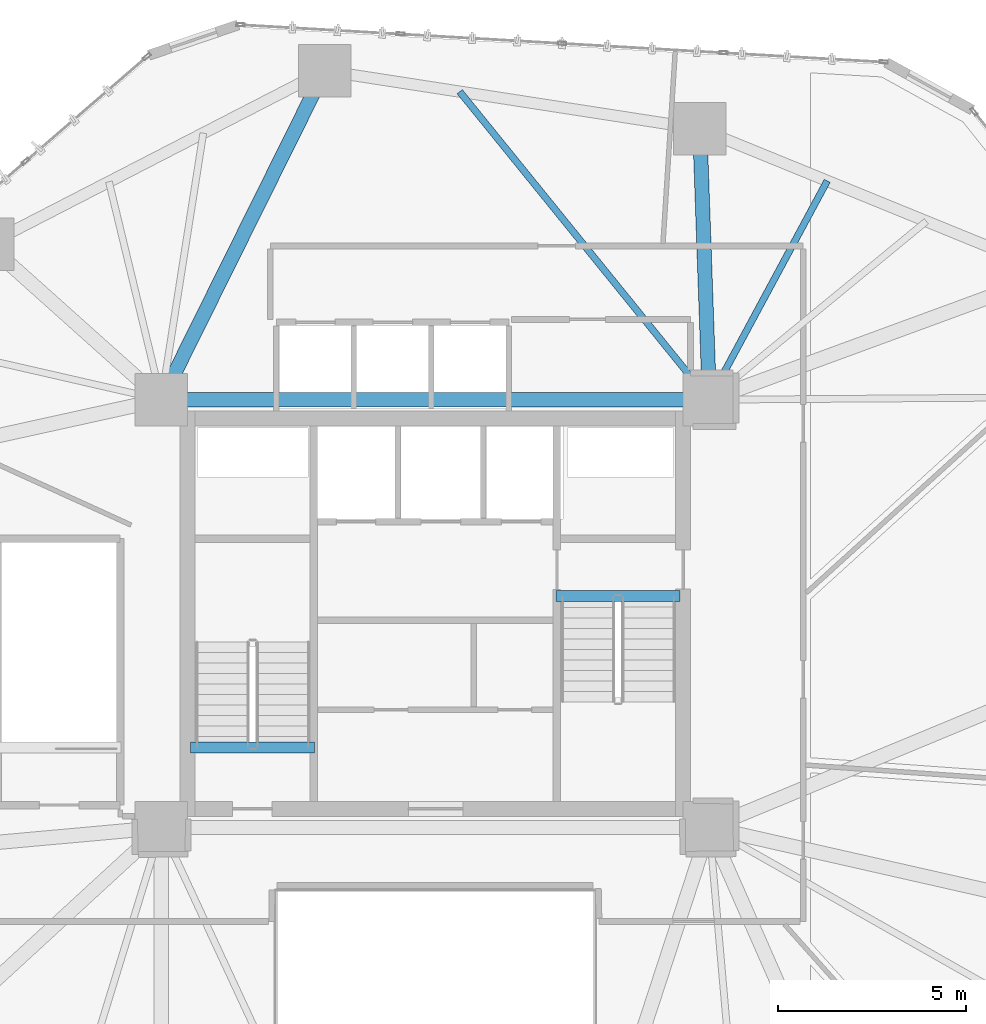
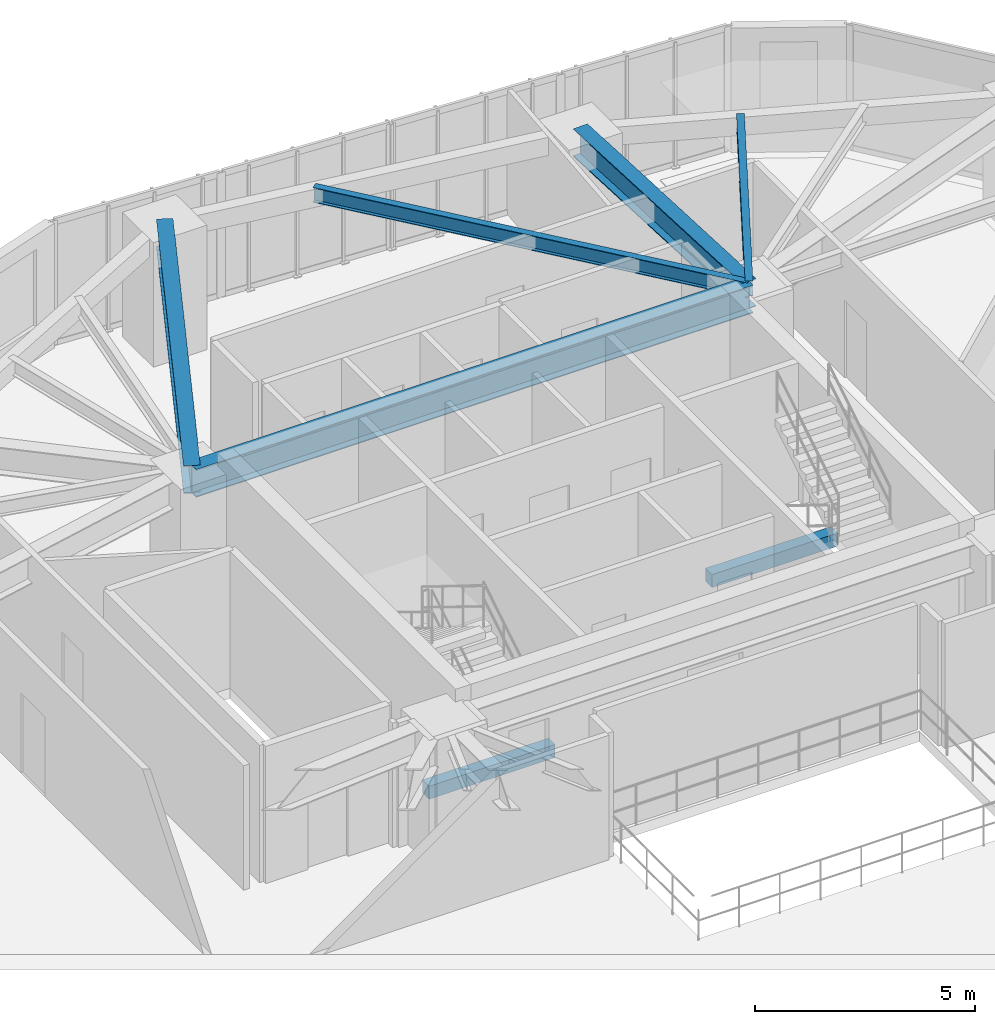
# One storey, part 9 of 24: 7 beams.
"""IFC4 building model written with IfcOpenShell, lengths in metres."""

from ifc_helpers import new_model, si_unit, direction, frame, origin, origin_2d, place, context, subcontext, project, spatial, rectangle, i_section, extrude, material, material_profile, profile_set, type_object, element, save


model = new_model("IFC4")

# Units and contexts
model_context = context("Model", 3, precision=1e-05, world=origin(), true_north=direction((0.0, 1.0)))
body_context = subcontext(model_context, "Body", "Model", "MODEL_VIEW")
ifc_project = project(units=[si_unit("LENGTHUNIT", "METRE"), si_unit("AREAUNIT", "SQUARE_METRE"), si_unit("VOLUMEUNIT", "CUBIC_METRE"), si_unit("PLANEANGLEUNIT", "RADIAN"), si_unit("MASSUNIT", "GRAM", prefix="KILO")], contexts=[model_context])

# Site, building, storey
site_placement = place(None, origin())
site = spatial("IfcSite", under=ifc_project, at=site_placement, CompositionType="ELEMENT")
building_placement = place(site_placement, origin())
building = spatial("IfcBuilding", under=site, at=building_placement, Name="Talar Marvaseh", CompositionType="ELEMENT")
storey_placement = place(building_placement, frame((0.0, 0.0, 81.0)))
storey = spatial("IfcBuildingStorey", under=building, at=storey_placement, Name="L20", CompositionType="ELEMENT", Elevation=81.0)

# Beams
ifc_material_1 = material(Name="Concrete C40/50", Category="concrete")
ifc_material_profile_1 = material_profile(ifc_material_1, rectangle(XDim=0.300048828125, YDim=0.360107421875, at=origin_2d()), Name="RC300x360")
ifc_profile_set_1 = profile_set([ifc_material_profile_1], Name="Concrete C40/50")
beam_type_1 = type_object("IfcBeamType", Name="Concrete Stair Landing Trimmer Beam RC300x360", PredefinedType="SPANDREL", material=ifc_profile_set_1)
for number, where, z_axis, x_axis, name in (
    (1, (22.780029296875, 27.6298828125, -0.179931640625), (-1.0, 0.0, 0.0), (0.0, -1.0, 0.0), "L20 ST-1 Stair Nosing Trimmer Beam"),
    (2, (29.219970703125, 31.669921875, -0.179931640625), (1.0, 0.0, 0.0), (0.0, 1.0, 0.0), "L20 ST-2 Stair Nosing Trimmer Beam"),
):
    element("IfcBeam", number, at=place(storey_placement, frame(where, z_axis=z_axis, x_axis=x_axis)), inside=storey, type_object=beam_type_1, Name=name, PredefinedType="SPANDREL", context=body_context, shape_type="SweptSolid", body=[
        extrude(rectangle(XDim=0.300048828125, YDim=0.360107421875, at=origin_2d()), origin(), (0.0, 0.0, 1.0), 3.300048828125),
    ])
ifc_material_2 = material(Name="Steel S355", Category="steel")
ifc_material_profile_2 = material_profile(ifc_material_2, i_section(OverallWidth=0.381103515625, OverallDepth=0.77294921875, WebThickness=0.0166015625, FlangeThickness=0.027099609375, at=origin_2d()), Name="W760x257")
ifc_profile_set_2 = profile_set([ifc_material_profile_2], Name="Steel S355")
beam_type_2 = type_object("IfcBeamType", Name="Zone 1 Radial Floor Girder W760x257", PredefinedType="BEAM", material=ifc_profile_set_2)
beam_1_placement = place(storey_placement, frame((18.699951171875, 36.89990234375, 3.0634765625), z_axis=(1.0, 0.0, 0.0), x_axis=(0.0, 1.0, 0.0)))
element("IfcBeam", 3, at=beam_1_placement, inside=storey, type_object=beam_type_2, Name="L20 Zone 1 Radial Floor Girder W760x257", PredefinedType="BEAM", context=body_context, shape_type="SweptSolid", body=[
    extrude(i_section(OverallWidth=0.381103515625, OverallDepth=0.77294921875, WebThickness=0.0166015625, FlangeThickness=0.027099609375, at=origin_2d()), origin(), (0.0, 0.0, 1.0), 14.60009765625),
])
beam_2_placement = place(storey_placement, frame((23.047119140625, 45.6669921875, 3.0634765625), z_axis=(-0.444237233911, -0.895909191831, 0.0), x_axis=(0.895909191831, -0.444237233911, 0.0)))
element("IfcBeam", 4, at=beam_2_placement, inside=storey, type_object=beam_type_2, Name="L20 Zone 1 Radial Floor Girder W760x257", PredefinedType="BEAM", context=body_context, shape_type="SweptSolid", body=[
    extrude(i_section(OverallWidth=0.381103515625, OverallDepth=0.77294921875, WebThickness=0.0166015625, FlangeThickness=0.027099609375, at=origin_2d()), origin(), (0.0, 0.0, 1.0), 9.78564453125),
])
beam_3_placement = place(storey_placement, frame((33.0458984375, 44.117919921875, 3.0634765625), z_axis=(0.03518874657, -0.999380684281, 0.0), x_axis=(0.999380684281, 0.03518874657, 0.0)))
element("IfcBeam", 5, at=beam_3_placement, inside=storey, type_object=beam_type_2, Name="L20 Zone 1 Radial Floor Girder W760x257", PredefinedType="BEAM", context=body_context, shape_type="SweptSolid", body=[
    extrude(i_section(OverallWidth=0.381103515625, OverallDepth=0.77294921875, WebThickness=0.0166015625, FlangeThickness=0.027099609375, at=origin_2d()), origin(), (0.0, 0.0, 1.0), 7.222412109375),
])
ifc_material_profile_3 = material_profile(ifc_material_2, i_section(OverallWidth=0.179931640625, OverallDepth=0.4130859375, WebThickness=0.009765625, FlangeThickness=0.01611328125, at=origin_2d()), Name="W410x75")
ifc_profile_set_3 = profile_set([ifc_material_profile_3], Name="Steel S355")
beam_type_3 = type_object("IfcBeamType", Name="Zone 1 Secondary Floor Joist W410x75", PredefinedType="JOIST", material=ifc_profile_set_3)
beam_4_placement = place(storey_placement, frame((26.646484375, 45.109375, 3.243408203125), z_axis=(0.629644089062, -0.776883724317, 0.0), x_axis=(0.776883724317, 0.629644089062, 0.0)))
element("IfcBeam", 6, at=beam_4_placement, inside=storey, type_object=beam_type_3, Name="L20 Zone 1 Secondary Floor Joist W410x75", PredefinedType="JOIST", context=body_context, shape_type="SweptSolid", body=[
    extrude(i_section(OverallWidth=0.179931640625, OverallDepth=0.4130859375, WebThickness=0.009765625, FlangeThickness=0.01611328125, at=origin_2d()), origin(), (0.0, 0.0, 1.0), 10.567138671875),
])
beam_5_placement = place(storey_placement, frame((36.441162109375, 42.732421875, 3.243408203125), z_axis=(-0.474161357627, -0.880437963137, 0.0), x_axis=(0.880437963137, -0.474161357627, 0.0)))
element("IfcBeam", 7, at=beam_5_placement, inside=storey, type_object=beam_type_3, Name="L20 Zone 1 Secondary Floor Joist W410x75", PredefinedType="JOIST", context=body_context, shape_type="SweptSolid", body=[
    extrude(i_section(OverallWidth=0.179931640625, OverallDepth=0.4130859375, WebThickness=0.009765625, FlangeThickness=0.01611328125, at=origin_2d()), origin(), (0.0, 0.0, 1.0), 6.62451171875),
])

save(model, "model.ifc")
